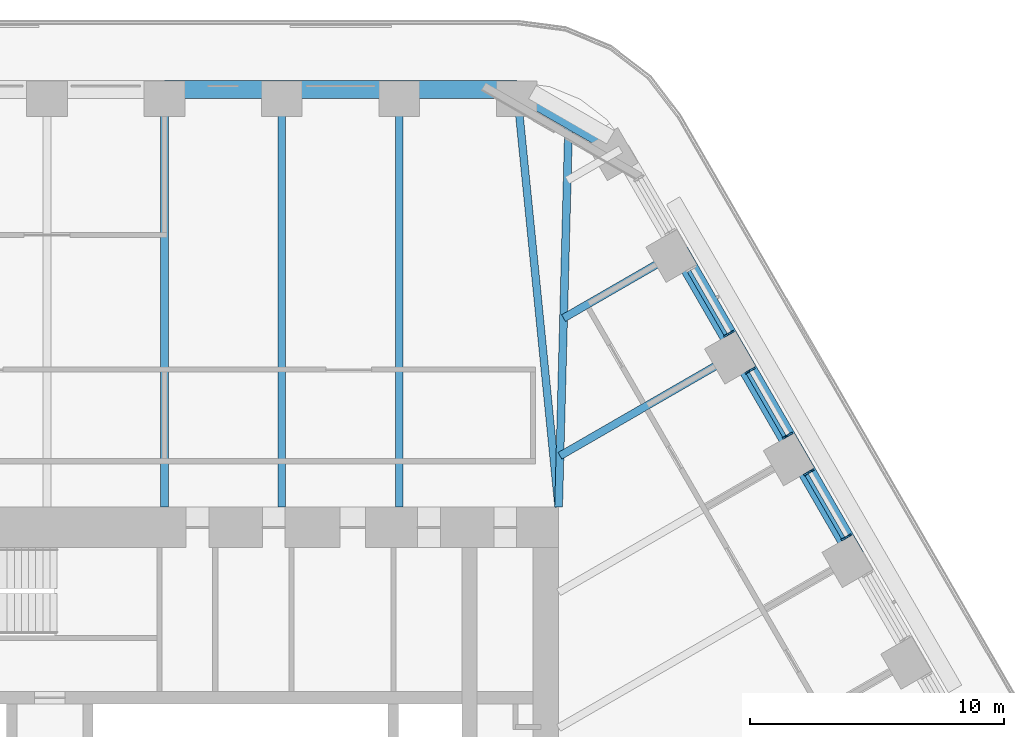
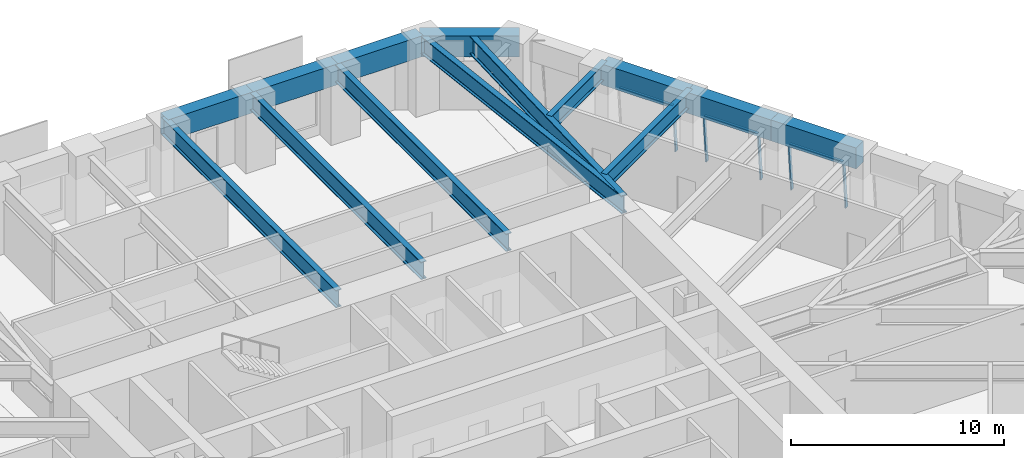
# One storey, part 11 of 20: 14 beams, 8 members, 3 elements without a shape of their own.
"""IFC4 building model written with IfcOpenShell, lengths in metres."""

from ifc_helpers import new_model, si_unit, direction, frame, origin, origin_2d, place, context, subcontext, project, spatial, rectangle, i_section, extrude, material, material_profile, profile_set, type_object, element, aggregate, save


model = new_model("IFC4")

# Units and contexts
model_context = context("Model", 3, precision=1e-05, world=origin(), true_north=direction((0.0, 1.0)))
body_context = subcontext(model_context, "Body", "Model", "MODEL_VIEW")
ifc_project = project(units=[si_unit("LENGTHUNIT", "METRE"), si_unit("AREAUNIT", "SQUARE_METRE"), si_unit("VOLUMEUNIT", "CUBIC_METRE"), si_unit("PLANEANGLEUNIT", "RADIAN"), si_unit("MASSUNIT", "GRAM", prefix="KILO")], contexts=[model_context])

# Site, building, storey
site_placement = place(None, origin())
site = spatial("IfcSite", under=ifc_project, at=site_placement, CompositionType="ELEMENT")
building_placement = place(site_placement, origin())
building = spatial("IfcBuilding", under=site, at=building_placement, Name="Tarfa Lantern Tower", CompositionType="ELEMENT")
storey_placement = place(building_placement, frame((0.0, 0.0, 232.300048828125)))
storey = spatial("IfcBuildingStorey", under=building, at=storey_placement, Name="L52", CompositionType="ELEMENT", Elevation=232.300048828125)

# Curtain wall, members
ifc_material_1 = material(Name="Aluminium framed curtain wall", Category="aluminium")
curtain_wall_type = type_object("IfcCurtainWallType", Name="CW3 CANTED GLAZING HIGH ZONE 2800", PredefinedType="USERDEFINED", material=ifc_material_1)
curtain_wall_1_placement = place(storey_placement, origin())
curtain_wall_1 = element("IfcCurtainWall", 1, at=curtain_wall_1_placement, inside=storey, type_object=curtain_wall_type, Name="CW3 NE L52", ObjectType="CURTAIN WALL", PredefinedType="USERDEFINED")
ifc_material_2 = material(Name="Aluminium mullion", Category="aluminium")
ifc_material_profile_1 = material_profile(ifc_material_2, rectangle(XDim=0.06494140625, YDim=0.199951171875, at=origin_2d()), Name="AL MULLION 65x200")
ifc_profile_set_1 = profile_set([ifc_material_profile_1], Name="Aluminium mullion")
member_type_1 = type_object("IfcMemberType", Name="CWM1 MULLION 65x200", PredefinedType="MULLION", material=ifc_profile_set_1)
member_1_placement = place(storey_placement, frame((26.92138671875, 11.1708984375, 0.0), z_axis=(-0.077032386753, -0.044465143199, 0.996036576854), x_axis=(0.499919672301, -0.866071776036, 0.0)))
member_1 = element("IfcMember", 2, at=member_1_placement, type_object=member_type_1, Name="CW3 mullion 1", PredefinedType="MULLION", context=body_context, shape_type="SweptSolid", body=[
    extrude(rectangle(XDim=0.06494140625, YDim=0.199951171875, at=origin_2d()), origin(), (0.0, 0.0, 1.0), 2.811279296875),
])
member_2_placement = place(storey_placement, frame((25.4443359375, 13.72900390625, 0.0), z_axis=(-0.077032386753, -0.044465143199, 0.996036576854), x_axis=(0.499919672301, -0.866071776036, 0.0)))
member_2 = element("IfcMember", 3, at=member_2_placement, type_object=member_type_1, Name="CW3 mullion 2", PredefinedType="MULLION", context=body_context, shape_type="SweptSolid", body=[
    extrude(rectangle(XDim=0.06494140625, YDim=0.199951171875, at=origin_2d()), origin(), (0.0, 0.0, 1.0), 2.811279296875),
])

curtain_wall_2_placement = place(storey_placement, origin())
curtain_wall_2 = element("IfcCurtainWall", 4, at=curtain_wall_2_placement, inside=storey, type_object=curtain_wall_type, Name="CW3 NE L52", ObjectType="CURTAIN WALL", PredefinedType="USERDEFINED")
member_3_placement = place(storey_placement, frame((24.61181640625, 15.1708984375, 0.0), z_axis=(-0.077032386753, -0.044465143199, 0.996036576854), x_axis=(0.499919672301, -0.866071776036, 0.0)))
member_3 = element("IfcMember", 5, at=member_3_placement, type_object=member_type_1, Name="CW3 mullion 1", PredefinedType="MULLION", context=body_context, shape_type="SweptSolid", body=[
    extrude(rectangle(XDim=0.06494140625, YDim=0.199951171875, at=origin_2d()), origin(), (0.0, 0.0, 1.0), 2.811279296875),
])
member_4_placement = place(storey_placement, frame((23.135009765625, 17.72900390625, 0.0), z_axis=(-0.077032386753, -0.044465143199, 0.996036576854), x_axis=(0.499919672301, -0.866071776036, 0.0)))
member_4 = element("IfcMember", 6, at=member_4_placement, type_object=member_type_1, Name="CW3 mullion 2", PredefinedType="MULLION", context=body_context, shape_type="SweptSolid", body=[
    extrude(rectangle(XDim=0.06494140625, YDim=0.199951171875, at=origin_2d()), origin(), (0.0, 0.0, 1.0), 2.811279296875),
])

# Curtain wall, member
curtain_wall_3_placement = place(storey_placement, origin())
curtain_wall_3 = element("IfcCurtainWall", 7, at=curtain_wall_3_placement, inside=storey, type_object=curtain_wall_type, Name="CW3 NE L52", ObjectType="CURTAIN WALL", PredefinedType="USERDEFINED")
member_5_placement = place(storey_placement, frame((22.302490234375, 19.1708984375, 0.0), z_axis=(-0.077032386753, -0.044465143199, 0.996036576854), x_axis=(0.499919672301, -0.866071776036, 0.0)))
member_5 = element("IfcMember", 8, at=member_5_placement, type_object=member_type_1, Name="CW3 mullion 1", PredefinedType="MULLION", context=body_context, shape_type="SweptSolid", body=[
    extrude(rectangle(XDim=0.06494140625, YDim=0.199951171875, at=origin_2d()), origin(), (0.0, 0.0, 1.0), 2.811279296875),
])

# Member
ifc_material_3 = material(Name="Aluminium transom", Category="aluminium")
ifc_material_profile_2 = material_profile(ifc_material_3, rectangle(XDim=0.14990234375, YDim=0.06494140625, at=origin_2d()), Name="AL TRANSOM 150x65")
ifc_profile_set_2 = profile_set([ifc_material_profile_2], Name="Aluminium transom")
member_type_2 = type_object("IfcMemberType", Name="CWT1 TRANSOM 150x65", PredefinedType="USERDEFINED", material=ifc_profile_set_2)
member_6_placement = place(storey_placement, frame((26.691162109375, 11.07568359375, 2.767333984375), z_axis=(-0.500056524144, 0.865992767095, 0.0), x_axis=(-0.865992767095, -0.500056524144, 0.0)))
member_6 = element("IfcMember", 9, at=member_6_placement, type_object=member_type_2, Name="CW3 transom 1.2", ObjectType="TRANSOM", PredefinedType="USERDEFINED", context=body_context, shape_type="SweptSolid", body=[
    extrude(rectangle(XDim=0.14990234375, YDim=0.06494140625, at=origin_2d()), origin(), (0.0, 0.0, 1.0), 2.888916015625),
])

aggregate(curtain_wall_1, [member_1, member_2, member_6])

member_7_placement = place(storey_placement, frame((24.381591796875, 15.07568359375, 2.767333984375), z_axis=(-0.499993141028, 0.866029363778, 0.0), x_axis=(-0.866029363778, -0.499993141028, 0.0)))
member_7 = element("IfcMember", 10, at=member_7_placement, type_object=member_type_2, Name="CW3 transom 1.2", ObjectType="TRANSOM", PredefinedType="USERDEFINED", context=body_context, shape_type="SweptSolid", body=[
    extrude(rectangle(XDim=0.14990234375, YDim=0.06494140625, at=origin_2d()), origin(), (0.0, 0.0, 1.0), 2.888671875),
])

aggregate(curtain_wall_2, [member_3, member_4, member_7])

member_8_placement = place(storey_placement, frame((22.072265625, 19.07568359375, 2.767333984375), z_axis=(-0.499993141028, 0.866029363778, 0.0), x_axis=(-0.866029363778, -0.499993141028, 0.0)))
member_8 = element("IfcMember", 11, at=member_8_placement, type_object=member_type_2, Name="CW3 transom 1.2", ObjectType="TRANSOM", PredefinedType="USERDEFINED", context=body_context, shape_type="SweptSolid", body=[
    extrude(rectangle(XDim=0.14990234375, YDim=0.06494140625, at=origin_2d()), origin(), (0.0, 0.0, 1.0), 2.888671875),
])

aggregate(curtain_wall_3, [member_5, member_8])

# Beams
ifc_material_4 = material(Name="Concrete C80/95", Category="concrete")
ifc_material_profile_3 = material_profile(ifc_material_4, rectangle(XDim=0.699951171875, YDim=1.199951171875, at=origin_2d()), Name="RC 700x1200")
ifc_profile_set_3 = profile_set([ifc_material_profile_3], Name="Concrete C80/95")
beam_type_1 = type_object("IfcBeamType", Name="EB3 RC 700x1200", PredefinedType="SPANDREL", material=ifc_profile_set_3)
beam_1_placement = place(storey_placement, frame((27.181640625, 10.360107421875, 3.39990234375), z_axis=(-0.499987836815, 0.866032426089, 0.0), x_axis=(-0.866032426089, -0.499987836815, 0.0)))
element("IfcBeam", 12, at=beam_1_placement, inside=storey, type_object=beam_type_1, Name="Edge beam NE2", PredefinedType="SPANDREL", context=body_context, shape_type="SweptSolid", body=[
    extrude(rectangle(XDim=0.699951171875, YDim=1.199951171875, at=origin_2d()), origin(), (0.0, 0.0, 1.0), 4.61865234375),
])
beam_2_placement = place(storey_placement, frame((24.872314453125, 14.360107421875, 3.39990234375), z_axis=(-0.500027479704, 0.866009537788, 0.0), x_axis=(-0.866009537788, -0.500027479704, 0.0)))
element("IfcBeam", 13, at=beam_2_placement, inside=storey, type_object=beam_type_1, Name="Edge beam NE3", PredefinedType="SPANDREL", context=body_context, shape_type="SweptSolid", body=[
    extrude(rectangle(XDim=0.699951171875, YDim=1.199951171875, at=origin_2d()), origin(), (0.0, 0.0, 1.0), 4.618896484375),
])
beam_3_placement = place(storey_placement, frame((22.562744140625, 18.360107421875, 3.39990234375), z_axis=(-0.499987836815, 0.866032426089, 0.0), x_axis=(-0.866032426089, -0.499987836815, 0.0)))
element("IfcBeam", 14, at=beam_3_placement, inside=storey, type_object=beam_type_1, Name="Edge beam NE4", PredefinedType="SPANDREL", context=body_context, shape_type="SweptSolid", body=[
    extrude(rectangle(XDim=0.699951171875, YDim=1.199951171875, at=origin_2d()), origin(), (0.0, 0.0, 1.0), 4.61865234375),
])
beam_4_placement = place(storey_placement, frame((17.944091796875, 26.360107421875, 3.39990234375), z_axis=(-0.866038294681, 0.499977671647, 0.0), x_axis=(-0.499977671647, -0.866038294681, 0.0)))
element("IfcBeam", 15, at=beam_4_placement, inside=storey, type_object=beam_type_1, Name="Edge beam NE6", PredefinedType="SPANDREL", context=body_context, shape_type="SweptSolid", body=[
    extrude(rectangle(XDim=0.699951171875, YDim=1.199951171875, at=origin_2d()), origin(), (0.0, 0.0, 1.0), 4.719970703125),
])
beam_5_placement = place(storey_placement, frame((13.8564453125, 28.719970703125, 3.39990234375), z_axis=(-1.0, 0.0, 0.0), x_axis=(0.0, -1.0, 0.0)))
element("IfcBeam", 16, at=beam_5_placement, inside=storey, type_object=beam_type_1, Name="Edge beam N0", PredefinedType="SPANDREL", context=body_context, shape_type="SweptSolid", body=[
    extrude(rectangle(XDim=0.699951171875, YDim=1.199951171875, at=origin_2d()), origin(), (0.0, 0.0, 1.0), 4.618896484375),
])
beam_6_placement = place(storey_placement, frame((9.237548828125, 28.719970703125, 3.39990234375), z_axis=(-1.0, 0.0, 0.0), x_axis=(0.0, -1.0, 0.0)))
element("IfcBeam", 17, at=beam_6_placement, inside=storey, type_object=beam_type_1, Name="Edge beam N1", PredefinedType="SPANDREL", context=body_context, shape_type="SweptSolid", body=[
    extrude(rectangle(XDim=0.699951171875, YDim=1.199951171875, at=origin_2d()), origin(), (0.0, 0.0, 1.0), 4.61865234375),
])
beam_7_placement = place(storey_placement, frame((4.618896484375, 28.719970703125, 3.39990234375), z_axis=(-1.0, 0.0, 0.0), x_axis=(0.0, -1.0, 0.0)))
element("IfcBeam", 18, at=beam_7_placement, inside=storey, type_object=beam_type_1, Name="Edge beam N2", PredefinedType="SPANDREL", context=body_context, shape_type="SweptSolid", body=[
    extrude(rectangle(XDim=0.699951171875, YDim=1.199951171875, at=origin_2d()), origin(), (0.0, 0.0, 1.0), 4.618896484375),
])
ifc_material_5 = material(Name="Steel S460M", Category="steel")
ifc_material_profile_4 = material_profile(ifc_material_5, i_section(OverallWidth=0.302001953125, OverallDepth=1.008056640625, WebThickness=0.02099609375, FlangeThickness=0.0400390625, FilletRadius=0.030029296875, at=origin_2d()), Name="UB1016x305x349")
ifc_profile_set_4 = profile_set([ifc_material_profile_4], Name="Steel S460M")
beam_type_2 = type_object("IfcBeamType", Name="UB1016x305x349", PredefinedType="BEAM", material=ifc_profile_set_4)
beam_8_placement = place(storey_placement, frame((13.8564453125, 28.719970703125, 3.495849609375), z_axis=(0.099597466746, -0.995027810977, 0.0), x_axis=(0.995027810977, 0.099597466746, 0.0)))
element("IfcBeam", 19, at=beam_8_placement, inside=storey, type_object=beam_type_2, Name="Floor beam N0", PredefinedType="BEAM", context=body_context, shape_type="SweptSolid", body=[
    extrude(i_section(OverallWidth=0.302001953125, OverallDepth=1.008056640625, WebThickness=0.02099609375, FlangeThickness=0.0400390625, FilletRadius=0.030029296875, at=origin_2d()), origin(), (0.0, 0.0, 1.0), 16.501953125),
])
for number, where, z_axis, x_axis, name in (
    (20, (9.237548828125, 28.719970703125, 3.495849609375), (0.0, -1.0, 0.0), (1.0, 0.0, 0.0), "Floor beam N1"),
    (21, (4.618896484375, 28.719970703125, 3.495849609375), (0.0, -1.0, 0.0), (1.0, 0.0, 0.0), "Floor beam N2"),
    (22, (0.0, 28.719970703125, 3.495849609375), (0.0, -1.0, 0.0), (1.0, 0.0, 0.0), "Floor beam N3"),
):
    element("IfcBeam", number, at=place(storey_placement, frame(where, z_axis=z_axis, x_axis=x_axis)), inside=storey, type_object=beam_type_2, Name=name, PredefinedType="BEAM", context=body_context, shape_type="SweptSolid", body=[
        extrude(i_section(OverallWidth=0.302001953125, OverallDepth=1.008056640625, WebThickness=0.02099609375, FlangeThickness=0.0400390625, FilletRadius=0.030029296875, at=origin_2d()), origin(), (0.0, 0.0, 1.0), 16.419921875),
    ])
ifc_material_profile_5 = material_profile(ifc_material_5, i_section(OverallWidth=0.30859375, OverallDepth=1.036376953125, WebThickness=0.030029296875, FlangeThickness=0.05419921875, FilletRadius=0.030029296875, at=origin_2d()), Name="UB1016x305x487")
ifc_profile_set_5 = profile_set([ifc_material_profile_5], Name="Steel S460M")
beam_type_3 = type_object("IfcBeamType", Name="UB1016x305x487", PredefinedType="BEAM", material=ifc_profile_set_5)
beam_9_placement = place(storey_placement, frame((15.5, 12.300048828125, 3.481689453125), z_axis=(0.026247301989, 0.999655480222, 0.0), x_axis=(-0.999655480222, 0.026247301989, 0.0)))
element("IfcBeam", 23, at=beam_9_placement, inside=storey, type_object=beam_type_3, Name="Hip girder NE", PredefinedType="BEAM", context=body_context, shape_type="SweptSolid", body=[
    extrude(i_section(OverallWidth=0.30859375, OverallDepth=1.036376953125, WebThickness=0.030029296875, FlangeThickness=0.05419921875, FilletRadius=0.030029296875, at=origin_2d()), origin(), (0.0, 0.0, 1.0), 15.245361328125),
])
ifc_material_profile_6 = material_profile(ifc_material_5, i_section(OverallWidth=0.305419921875, OverallDepth=0.91845703125, WebThickness=0.017333984375, FlangeThickness=0.02783203125, FilletRadius=0.01904296875, at=origin_2d()), Name="UB914x305x253")
ifc_profile_set_6 = profile_set([ifc_material_profile_6], Name="Steel S460M")
beam_type_4 = type_object("IfcBeamType", Name="UB914x305x253", PredefinedType="BEAM", material=ifc_profile_set_6)
beam_10_placement = place(storey_placement, frame((22.562744140625, 18.360107421875, 3.540771484375), z_axis=(-0.866010787764, -0.500025314835, 0.0), x_axis=(0.500025314835, -0.866010787764, 0.0)))
element("IfcBeam", 24, at=beam_10_placement, inside=storey, type_object=beam_type_4, Name="Floor beam NE4", PredefinedType="BEAM", context=body_context, shape_type="SweptSolid", body=[
    extrude(i_section(OverallWidth=0.305419921875, OverallDepth=0.91845703125, WebThickness=0.017333984375, FlangeThickness=0.02783203125, FilletRadius=0.01904296875, at=origin_2d()), origin(), (0.0, 0.0, 1.0), 8.09423828125),
])
beam_11_placement = place(storey_placement, frame((20.25341796875, 22.360107421875, 3.540771484375), z_axis=(-0.86601951648, -0.500010196972, 0.0), x_axis=(0.500010196972, -0.86601951648, 0.0)))
element("IfcBeam", 25, at=beam_11_placement, inside=storey, type_object=beam_type_4, Name="Floor beam NE5", PredefinedType="BEAM", context=body_context, shape_type="SweptSolid", body=[
    extrude(i_section(OverallWidth=0.305419921875, OverallDepth=0.91845703125, WebThickness=0.017333984375, FlangeThickness=0.02783203125, FilletRadius=0.01904296875, at=origin_2d()), origin(), (0.0, 0.0, 1.0), 5.263671875),
])

save(model, "model.ifc")
